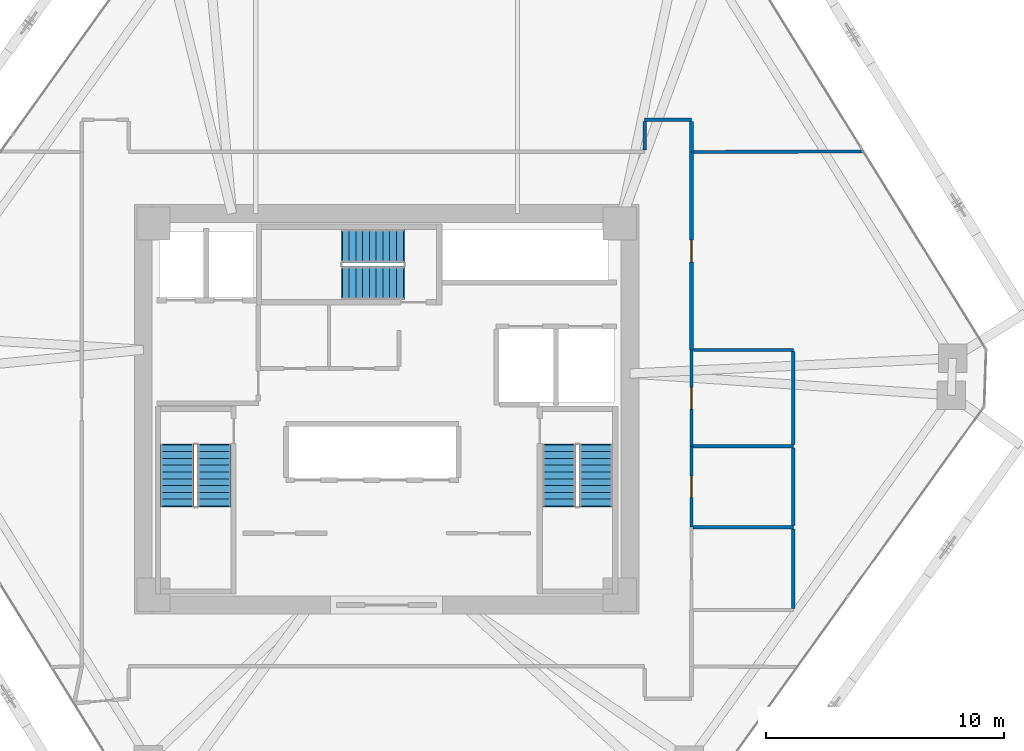
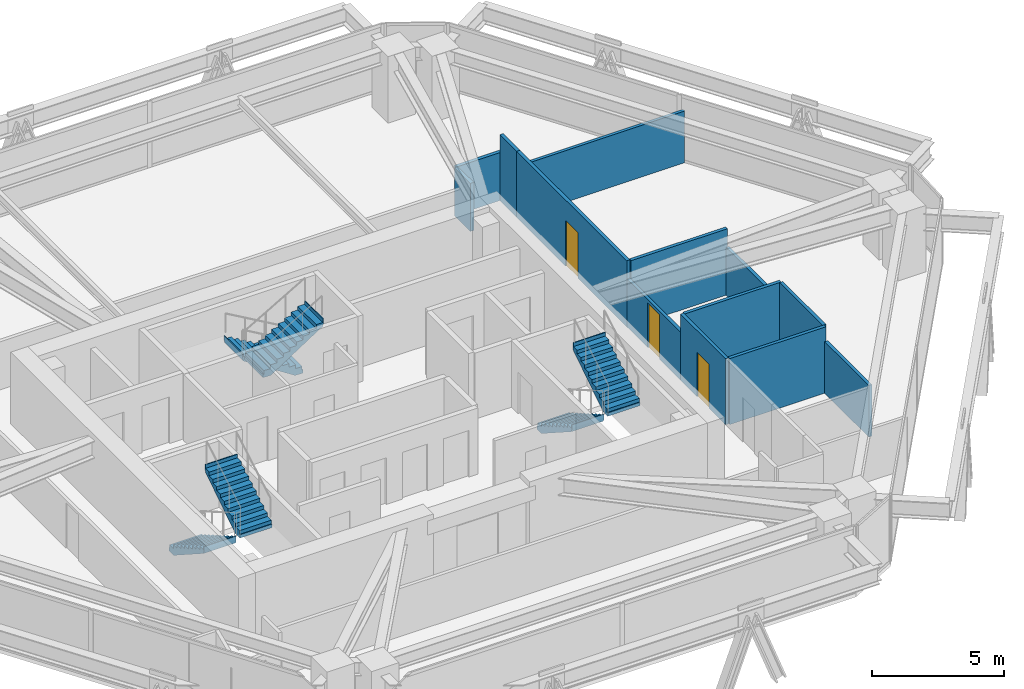
# One storey, part 14 of 15: 13 walls, 6 stair flights, 3 doors, 3 openings, 3 elements without a shape of their own.
"""IFC4 building model written with IfcOpenShell, lengths in metres."""

from ifc_helpers import new_model, si_unit, direction, frame, frame_2d, origin, place, context, subcontext, project, spatial, polyline, rectangle, outline, extrude, source, transform, mapped, material, layer, layer_set, type_object, type_shapes, element, fill, aggregate, save


model = new_model("IFC4")

# Units and contexts
model_context = context("Model", 3, precision=1e-05, world=origin(), true_north=direction((0.0, 1.0)))
body_context = subcontext(model_context, "Body", "Model", "MODEL_VIEW")
ifc_project = project(units=[si_unit("LENGTHUNIT", "METRE"), si_unit("AREAUNIT", "SQUARE_METRE"), si_unit("VOLUMEUNIT", "CUBIC_METRE"), si_unit("PLANEANGLEUNIT", "RADIAN"), si_unit("MASSUNIT", "GRAM", prefix="KILO")], contexts=[model_context])

# Site, building, storey
site_placement = place(None, origin())
site = spatial("IfcSite", under=ifc_project, at=site_placement, CompositionType="ELEMENT")
building_placement = place(site_placement, origin())
building = spatial("IfcBuilding", under=site, at=building_placement, Name="Durnholm Broadcast Tower", CompositionType="ELEMENT")
storey_placement = place(building_placement, frame((0.0, 0.0, 104.10009765625)))
storey = spatial("IfcBuildingStorey", under=building, at=storey_placement, Name="L27", CompositionType="ELEMENT", Elevation=104.10009765625)

# Walls
ifc_material_1 = material(Name="Gypsum Metal Stud Partition", Category="concrete")
ifc_layer_1 = layer(ifc_material_1, 0.135009765625)
ifc_layer_set_1 = layer_set([ifc_layer_1], Name="Gypsum Metal Stud Partition")
wall_type_1 = type_object("IfcWallType", Name="WALL-PART-135", PredefinedType="PARTITIONING", material=ifc_layer_set_1)
wall_1_placement = place(storey_placement, frame((20.03515625, 10.8310546875, 0.0), z_axis=(0.0, 0.0, 1.0), x_axis=(-0.999995783715, -0.002903885812, 0.0)))
element("IfcWall", 1, at=wall_1_placement, inside=storey, type_object=wall_type_1, Name="L27 room dividing partition 8.11", PredefinedType="PARTITIONING", context=body_context, shape_type="SweptSolid", body=[
    extrude(rectangle(XDim=7.146240234375, YDim=0.135009765625, at=frame_2d((3.5732421875, 0.0))), origin(), (0.0, 0.0, 1.0), 2.3798828125),
])
ifc_material_2 = material(Name="Acoustic Gypsum Stud Partition", Category="concrete")
ifc_layer_2 = layer(ifc_material_2, 0.14990234375)
ifc_layer_set_2 = layer_set([ifc_layer_2], Name="Acoustic Gypsum Stud Partition")
wall_type_2 = type_object("IfcWallType", Name="WALL-PART-150", PredefinedType="PARTITIONING", material=ifc_layer_set_2)
wall_2_placement = place(storey_placement, frame((12.81005859375, 12.159912109375, 0.0), z_axis=(0.0, 0.0, 1.0), x_axis=(-1.0, 0.0, 0.0)))
element("IfcWall", 2, at=wall_2_placement, inside=storey, type_object=wall_type_2, Name="L27 Network Operations Hall corridor partition", PredefinedType="PARTITIONING", context=body_context, shape_type="SweptSolid", body=[
    extrude(rectangle(XDim=1.969970703125, YDim=0.14990234375, at=frame_2d((0.98486328125, 0.0))), origin(), (0.0, 0.0, 1.0), 2.2119140625),
])
wall_3_placement = place(storey_placement, frame((12.81005859375, 10.81005859375, 0.0), z_axis=(0.0, 0.0, 1.0), x_axis=(0.0, 1.0, 0.0)))
element("IfcWall", 3, at=wall_3_placement, inside=storey, type_object=wall_type_2, Name="L27 Network Operations Hall corridor partition", PredefinedType="PARTITIONING", context=body_context, shape_type="SweptSolid", body=[
    extrude(rectangle(XDim=1.27099609375, YDim=0.14990234375, at=frame_2d((0.635498046875, 0.0))), origin(), (0.0, 0.0, 1.0), 3.044921875),
])
wall_4_placement = place(storey_placement, frame((10.840087890625, 12.0810546875, 0.0), z_axis=(0.0, 0.0, 1.0), x_axis=(0.0, -1.0, 0.0)))
element("IfcWall", 4, at=wall_4_placement, inside=storey, type_object=wall_type_2, Name="L27 Network Operations Hall corridor partition", PredefinedType="PARTITIONING", context=body_context, shape_type="SweptSolid", body=[
    extrude(rectangle(XDim=1.192138671875, YDim=0.14990234375, at=frame_2d((0.59619140625, 0.0))), origin(), (0.0, 0.0, 1.0), 2.2119140625),
])

# Wall, opening, door
wall_5_placement = place(storey_placement, frame((12.81005859375, 2.489990234375, 0.0), z_axis=(0.0, 0.0, 1.0), x_axis=(0.0, 1.0, 0.0)))
wall_5 = element("IfcWall", 5, at=wall_5_placement, inside=storey, type_object=wall_type_2, Name="L27 Systems Lounge corridor partition", PredefinedType="PARTITIONING", context=body_context, shape_type="SweptSolid", body=[
    extrude(rectangle(XDim=8.320068359375, YDim=0.14990234375, at=frame_2d((4.16015625, 0.0))), origin(), (0.0, 0.0, 1.0), 3.044921875),
])
opening_1_placement = place(wall_5_placement, frame((3.699951171875, 0.0, 0.0)))
opening_1 = element("IfcOpeningElement", 6, at=opening_1_placement, cuts=wall_5, Name="Opening DR-92L", PredefinedType="OPENING", context=body_context, shape_type="SweptSolid", body=[
    extrude(rectangle(XDim=0.919921875, YDim=2.10009765625, at=frame_2d((0.4599609375, 1.050048828125))), frame((0.0, 0.0849609375, 0.0), z_axis=(0.0, -1.0, 0.0), x_axis=(1.0, 0.0, 0.0)), (0.0, 0.0, 1.0), 0.169921875),
])
ifc_material_3 = material(Name="Oak Veneer Office Door", Category="wood")
ifc_layer_3 = layer(ifc_material_3, 0.050048828125)
ifc_layer_set_3 = layer_set([ifc_layer_3], Name="Oak Veneer Office Door")
door_type_1 = type_object("IfcDoorType", Name="DOOR-RM-920L", OperationType="NOTDEFINED", PredefinedType="DOOR", material=ifc_layer_set_3)
shared_shape_1 = source(origin(), body_context, "Body", "SweptSolid", [
    extrude(rectangle(XDim=0.919921875, YDim=2.10009765625, at=frame_2d((0.4599609375, 1.050048828125))), frame((0.0, 0.02490234375, 0.0), z_axis=(0.0, -1.0, 0.0), x_axis=(1.0, 0.0, 0.0)), (0.0, 0.0, 1.0), 0.050048828125),
])
type_shapes(door_type_1, [shared_shape_1])
door_1_placement = place(opening_1_placement, origin())
door_1 = element("IfcDoor", 7, at=door_1_placement, inside=storey, type_object=door_type_1, Name="L27 Systems Lounge entrance door", OperationType="SINGLE_SWING_LEFT", OverallHeight=2.10009765625, OverallWidth=0.919921875, PredefinedType="DOOR", context=body_context, shape_type="MappedRepresentation", body=[
    mapped(shared_shape_1, transform((0.0, 0.0, 0.0), x_axis=(1.0, 0.0, 0.0), y_axis=(0.0, 1.0, 0.0), z_axis=(0.0, 0.0, 1.0), scale=1.0)),
])
fill(opening_1, door_1)

ifc_material_4 = material(Name="Moisture-Resistant Tile Partition", Category="concrete")
ifc_layer_4 = layer(ifc_material_4, 0.139892578125)
ifc_layer_set_4 = layer_set([ifc_layer_4], Name="Moisture-Resistant Tile Partition")
wall_type_3 = type_object("IfcWallType", Name="WALL-WC-140", PredefinedType="PARTITIONING", material=ifc_layer_set_4)
wall_6_placement = place(storey_placement, frame((12.81005859375, -4.9599609375, 0.0), z_axis=(0.0, 0.0, 1.0), x_axis=(0.0, 1.0, 0.0)))
wall_6 = element("IfcWall", 8, at=wall_6_placement, inside=storey, type_object=wall_type_3, Name="L27 Women's Restroom corridor partition", PredefinedType="PARTITIONING", context=body_context, shape_type="SweptSolid", body=[
    extrude(rectangle(XDim=3.39990234375, YDim=0.139892578125, at=frame_2d((1.699951171875, 0.0))), origin(), (0.0, 0.0, 1.0), 3.044921875),
])
opening_2_placement = place(wall_6_placement, frame((1.25, 0.0, 0.0)))
opening_2 = element("IfcOpeningElement", 9, at=opening_2_placement, cuts=wall_6, Name="Opening DW-90R", PredefinedType="OPENING", context=body_context, shape_type="SweptSolid", body=[
    extrude(rectangle(XDim=0.89990234375, YDim=2.050048828125, at=frame_2d((0.449951171875, 1.02490234375))), frame((0.0, 0.080078125, 0.0), z_axis=(0.0, -1.0, 0.0), x_axis=(1.0, 0.0, 0.0)), (0.0, 0.0, 1.0), 0.159912109375),
])
ifc_material_5 = material(Name="Laminate Restroom Door", Category="steel")
ifc_layer_5 = layer(ifc_material_5, 0.050048828125)
ifc_layer_set_5 = layer_set([ifc_layer_5], Name="Laminate Restroom Door")
door_type_2 = type_object("IfcDoorType", Name="DOOR-WC-900R", OperationType="NOTDEFINED", PredefinedType="DOOR", material=ifc_layer_set_5)
shared_shape_2 = source(origin(), body_context, "Body", "SweptSolid", [
    extrude(rectangle(XDim=0.89990234375, YDim=2.050048828125, at=frame_2d((0.449951171875, 1.02490234375))), frame((0.0, 0.02490234375, 0.0), z_axis=(0.0, -1.0, 0.0), x_axis=(1.0, 0.0, 0.0)), (0.0, 0.0, 1.0), 0.050048828125),
])
type_shapes(door_type_2, [shared_shape_2])
door_2_placement = place(opening_2_placement, origin())
door_2 = element("IfcDoor", 10, at=door_2_placement, inside=storey, type_object=door_type_2, Name="L27 Women's Restroom entrance door", OperationType="SINGLE_SWING_RIGHT", OverallHeight=2.050048828125, OverallWidth=0.89990234375, PredefinedType="DOOR", context=body_context, shape_type="MappedRepresentation", body=[
    mapped(shared_shape_2, transform((0.0, 0.0, 0.0), x_axis=(1.0, 0.0, 0.0), y_axis=(0.0, 1.0, 0.0), z_axis=(0.0, 0.0, 1.0), scale=1.0)),
])
fill(opening_2, door_2)

wall_7_placement = place(storey_placement, frame((12.81005859375, -1.56005859375, 0.0), z_axis=(0.0, 0.0, 1.0), x_axis=(0.0, 1.0, 0.0)))
wall_7 = element("IfcWall", 11, at=wall_7_placement, inside=storey, type_object=wall_type_3, Name="L27 Accessible Restroom corridor partition", PredefinedType="PARTITIONING", context=body_context, shape_type="SweptSolid", body=[
    extrude(rectangle(XDim=4.050048828125, YDim=0.139892578125, at=frame_2d((2.02490234375, 0.0))), origin(), (0.0, 0.0, 1.0), 2.2119140625),
])
opening_3_placement = place(wall_7_placement, frame((1.574951171875, 0.0, 0.0)))
opening_3 = element("IfcOpeningElement", 12, at=opening_3_placement, cuts=wall_7, Name="Opening DW-90L", PredefinedType="OPENING", context=body_context, shape_type="SweptSolid", body=[
    extrude(rectangle(XDim=0.89990234375, YDim=2.050048828125, at=frame_2d((0.449951171875, 1.02490234375))), frame((0.0, 0.080078125, 0.0), z_axis=(0.0, -1.0, 0.0), x_axis=(1.0, 0.0, 0.0)), (0.0, 0.0, 1.0), 0.159912109375),
])
ifc_layer_6 = layer(ifc_material_5, 0.050048828125)
ifc_layer_set_6 = layer_set([ifc_layer_6], Name="Laminate Restroom Door")
door_type_3 = type_object("IfcDoorType", Name="DOOR-WC-900L", OperationType="NOTDEFINED", PredefinedType="DOOR", material=ifc_layer_set_6)
shared_shape_3 = source(origin(), body_context, "Body", "SweptSolid", [
    extrude(rectangle(XDim=0.89990234375, YDim=2.050048828125, at=frame_2d((0.449951171875, 1.02490234375))), frame((0.0, 0.02490234375, 0.0), z_axis=(0.0, -1.0, 0.0), x_axis=(1.0, 0.0, 0.0)), (0.0, 0.0, 1.0), 0.050048828125),
])
type_shapes(door_type_3, [shared_shape_3])
door_3_placement = place(opening_3_placement, origin())
door_3 = element("IfcDoor", 13, at=door_3_placement, inside=storey, type_object=door_type_3, Name="L27 Accessible Restroom entrance door", OperationType="SINGLE_SWING_LEFT", OverallHeight=2.050048828125, OverallWidth=0.89990234375, PredefinedType="DOOR", context=body_context, shape_type="MappedRepresentation", body=[
    mapped(shared_shape_3, transform((0.0, 0.0, 0.0), x_axis=(1.0, 0.0, 0.0), y_axis=(0.0, 1.0, 0.0), z_axis=(0.0, 0.0, 1.0), scale=1.0)),
])
fill(opening_3, door_3)

# Walls
wall_8_placement = place(storey_placement, frame((12.884033203125, -4.9599609375, 0.0), z_axis=(0.0, 0.0, 1.0), x_axis=(1.0, 0.0, 0.0)))
element("IfcWall", 14, at=wall_8_placement, inside=storey, type_object=wall_type_3, Name="L27 room dividing partition 5.6", PredefinedType="PARTITIONING", context=body_context, shape_type="SweptSolid", body=[
    extrude(rectangle(XDim=4.2060546875, YDim=0.139892578125, at=frame_2d((2.10302734375, 0.0))), origin(), (0.0, 0.0, 1.0), 3.044921875),
])
wall_9_placement = place(storey_placement, frame((17.090087890625, -5.033935546875, 0.0), z_axis=(0.0, 0.0, 1.0), x_axis=(0.0, -1.0, 0.0)))
element("IfcWall", 15, at=wall_9_placement, inside=storey, type_object=wall_type_3, Name="L27 room dividing partition 5.11", PredefinedType="PARTITIONING", context=body_context, shape_type="SweptSolid", body=[
    extrude(rectangle(XDim=3.33203125, YDim=0.139892578125, at=frame_2d((1.666015625, 0.0))), origin(), (0.0, 0.0, 1.0), 2.3798828125),
])
wall_10_placement = place(storey_placement, frame((12.884033203125, -1.56005859375, 0.0), z_axis=(0.0, 0.0, 1.0), x_axis=(1.0, 0.0, 0.0)))
element("IfcWall", 16, at=wall_10_placement, inside=storey, type_object=wall_type_3, Name="L27 room dividing partition 6.7", PredefinedType="PARTITIONING", context=body_context, shape_type="SweptSolid", body=[
    extrude(rectangle(XDim=4.2060546875, YDim=0.139892578125, at=frame_2d((2.10302734375, 0.0))), origin(), (0.0, 0.0, 1.0), 3.044921875),
])
wall_11_placement = place(storey_placement, frame((17.090087890625, -1.634033203125, 0.0), z_axis=(0.0, 0.0, 1.0), x_axis=(0.0, -1.0, 0.0)))
element("IfcWall", 17, at=wall_11_placement, inside=storey, type_object=wall_type_3, Name="L27 room dividing partition 6.11", PredefinedType="PARTITIONING", context=body_context, shape_type="SweptSolid", body=[
    extrude(rectangle(XDim=3.251953125, YDim=0.139892578125, at=frame_2d((1.6259765625, 0.0))), origin(), (0.0, 0.0, 1.0), 3.044921875),
])
wall_12_placement = place(storey_placement, frame((12.888916015625, 2.489990234375, 0.0), z_axis=(0.0, 0.0, 1.0), x_axis=(1.0, 0.0, 0.0)))
element("IfcWall", 18, at=wall_12_placement, inside=storey, type_object=wall_type_3, Name="L27 room dividing partition 7.11", PredefinedType="PARTITIONING", context=body_context, shape_type="SweptSolid", body=[
    extrude(rectangle(XDim=4.201171875, YDim=0.139892578125, at=frame_2d((2.1005859375, 0.0))), origin(), (0.0, 0.0, 1.0), 3.044921875),
])
wall_13_placement = place(storey_placement, frame((17.090087890625, 2.416015625, 0.0), z_axis=(0.0, 0.0, 1.0), x_axis=(0.0, -1.0, 0.0)))
element("IfcWall", 19, at=wall_13_placement, inside=storey, type_object=wall_type_3, Name="L27 room dividing partition 7.11", PredefinedType="PARTITIONING", context=body_context, shape_type="SweptSolid", body=[
    extrude(rectangle(XDim=3.902099609375, YDim=0.139892578125, at=frame_2d((1.951171875, 0.0))), origin(), (0.0, 0.0, 1.0), 2.2119140625),
])

# Stair, stair flights
ifc_material_6 = material(Name="Concrete C50/60", Category="concrete")
stair_type = type_object("IfcStairType", Name="STAIR-DL-20R1650", PredefinedType="HALF_TURN_STAIR", material=ifc_material_6)
stair_1_placement = place(storey_placement, origin())
stair_1 = element("IfcStair", 20, at=stair_1_placement, inside=storey, type_object=stair_type, Name="L27 ST-1", PredefinedType="HALF_TURN_STAIR")
stair_flight_type = type_object("IfcStairFlightType", Name="FLIGHT-DL-20R1650", PredefinedType="STRAIGHT", material=ifc_material_6)
stair_flight_1_placement = place(storey_placement, frame((-8.800048828125, -1.5, 0.0), z_axis=(0.0, 0.0, 1.0), x_axis=(0.0, -1.0, 0.0)))
stair_flight_1 = element("IfcStairFlight", 21, at=stair_flight_1_placement, type_object=stair_flight_type, Name="ST-1 flight 1", NumberOfRisers=10, NumberOfTreads=9, PredefinedType="STRAIGHT", RiserHeight=0.165, TreadLength=0.285, context=body_context, shape_type="SweptSolid", body=[
    extrude(outline(polyline([(-0.0400390625, -0.14990234375), (-0.0400390625, 0.0), (0.0, 0.0), (0.0, 0.1650390625), (0.284912109375, 0.1650390625), (0.284912109375, 0.330078125), (0.570068359375, 0.330078125), (0.570068359375, 0.4951171875), (0.85498046875, 0.4951171875), (0.85498046875, 0.659912109375), (1.139892578125, 0.659912109375), (1.139892578125, 0.824951171875), (1.425048828125, 0.824951171875), (1.425048828125, 0.989990234375), (1.7099609375, 0.989990234375), (1.7099609375, 1.155029296875), (1.9951171875, 1.155029296875), (1.9951171875, 1.320068359375), (2.280029296875, 1.320068359375), (2.280029296875, 1.485107421875), (2.56494140625, 1.485107421875), (2.56494140625, 1.64990234375), (2.60498046875, 1.64990234375), (2.60498046875, 1.5), (2.56494140625, 1.311767578125), (0.299072265625, -0.14990234375), (-0.0400390625, -0.14990234375)])), frame((0.0, 0.699951171875, 0.0), z_axis=(0.0, -1.0, 0.0), x_axis=(1.0, 0.0, 0.0)), (0.0, 0.0, 1.0), 1.39990234375),
])
stair_flight_2_placement = place(storey_placement, frame((-7.239990234375, -4.06494140625, 1.64990234375), z_axis=(0.0, 0.0, 1.0), x_axis=(0.0, 1.0, 0.0)))
stair_flight_2 = element("IfcStairFlight", 22, at=stair_flight_2_placement, type_object=stair_flight_type, Name="ST-1 flight 2", NumberOfRisers=10, NumberOfTreads=9, PredefinedType="STRAIGHT", RiserHeight=0.165, TreadLength=0.285, context=body_context, shape_type="SweptSolid", body=[
    extrude(outline(polyline([(-0.0400390625, -0.14990234375), (-0.0400390625, 0.0), (0.0, 0.0), (0.0, 0.1650390625), (0.284912109375, 0.1650390625), (0.284912109375, 0.330078125), (0.570068359375, 0.330078125), (0.570068359375, 0.4951171875), (0.85498046875, 0.4951171875), (0.85498046875, 0.659912109375), (1.139892578125, 0.659912109375), (1.139892578125, 0.824951171875), (1.425048828125, 0.824951171875), (1.425048828125, 0.989990234375), (1.7099609375, 0.989990234375), (1.7099609375, 1.155029296875), (1.9951171875, 1.155029296875), (1.9951171875, 1.320068359375), (2.280029296875, 1.320068359375), (2.280029296875, 1.485107421875), (2.56494140625, 1.485107421875), (2.56494140625, 1.64990234375), (2.60498046875, 1.64990234375), (2.60498046875, 1.5), (2.56494140625, 1.311767578125), (0.299072265625, -0.14990234375), (-0.0400390625, -0.14990234375)])), frame((0.0, 0.699951171875, 0.0), z_axis=(0.0, -1.0, 0.0), x_axis=(1.0, 0.0, 0.0)), (0.0, 0.0, 1.0), 1.39990234375),
])
aggregate(stair_1, [stair_flight_1, stair_flight_2])

stair_2_placement = place(storey_placement, origin())
stair_2 = element("IfcStair", 23, at=stair_2_placement, inside=storey, type_object=stair_type, Name="L27 ST-2", PredefinedType="HALF_TURN_STAIR")
stair_flight_3_placement = place(storey_placement, frame((7.239990234375, -1.5, 0.0), z_axis=(0.0, 0.0, 1.0), x_axis=(0.0, -1.0, 0.0)))
stair_flight_3 = element("IfcStairFlight", 24, at=stair_flight_3_placement, type_object=stair_flight_type, Name="ST-2 flight 1", NumberOfRisers=10, NumberOfTreads=9, PredefinedType="STRAIGHT", RiserHeight=0.165, TreadLength=0.285, context=body_context, shape_type="SweptSolid", body=[
    extrude(outline(polyline([(-0.0400390625, -0.14990234375), (-0.0400390625, 0.0), (0.0, 0.0), (0.0, 0.1650390625), (0.284912109375, 0.1650390625), (0.284912109375, 0.330078125), (0.570068359375, 0.330078125), (0.570068359375, 0.4951171875), (0.85498046875, 0.4951171875), (0.85498046875, 0.659912109375), (1.139892578125, 0.659912109375), (1.139892578125, 0.824951171875), (1.425048828125, 0.824951171875), (1.425048828125, 0.989990234375), (1.7099609375, 0.989990234375), (1.7099609375, 1.155029296875), (1.9951171875, 1.155029296875), (1.9951171875, 1.320068359375), (2.280029296875, 1.320068359375), (2.280029296875, 1.485107421875), (2.56494140625, 1.485107421875), (2.56494140625, 1.64990234375), (2.60498046875, 1.64990234375), (2.60498046875, 1.5), (2.56494140625, 1.311767578125), (0.299072265625, -0.14990234375), (-0.0400390625, -0.14990234375)])), frame((0.0, 0.699951171875, 0.0), z_axis=(0.0, -1.0, 0.0), x_axis=(1.0, 0.0, 0.0)), (0.0, 0.0, 1.0), 1.39990234375),
])
stair_flight_4_placement = place(storey_placement, frame((8.800048828125, -4.06494140625, 1.64990234375), z_axis=(0.0, 0.0, 1.0), x_axis=(0.0, 1.0, 0.0)))
stair_flight_4 = element("IfcStairFlight", 25, at=stair_flight_4_placement, type_object=stair_flight_type, Name="ST-2 flight 2", NumberOfRisers=10, NumberOfTreads=9, PredefinedType="STRAIGHT", RiserHeight=0.165, TreadLength=0.285, context=body_context, shape_type="SweptSolid", body=[
    extrude(outline(polyline([(-0.0400390625, -0.14990234375), (-0.0400390625, 0.0), (0.0, 0.0), (0.0, 0.1650390625), (0.284912109375, 0.1650390625), (0.284912109375, 0.330078125), (0.570068359375, 0.330078125), (0.570068359375, 0.4951171875), (0.85498046875, 0.4951171875), (0.85498046875, 0.659912109375), (1.139892578125, 0.659912109375), (1.139892578125, 0.824951171875), (1.425048828125, 0.824951171875), (1.425048828125, 0.989990234375), (1.7099609375, 0.989990234375), (1.7099609375, 1.155029296875), (1.9951171875, 1.155029296875), (1.9951171875, 1.320068359375), (2.280029296875, 1.320068359375), (2.280029296875, 1.485107421875), (2.56494140625, 1.485107421875), (2.56494140625, 1.64990234375), (2.60498046875, 1.64990234375), (2.60498046875, 1.5), (2.56494140625, 1.311767578125), (0.299072265625, -0.14990234375), (-0.0400390625, -0.14990234375)])), frame((0.0, 0.699951171875, 0.0), z_axis=(0.0, -1.0, 0.0), x_axis=(1.0, 0.0, 0.0)), (0.0, 0.0, 1.0), 1.39990234375),
])
aggregate(stair_2, [stair_flight_3, stair_flight_4])

stair_3_placement = place(storey_placement, origin())
stair_3 = element("IfcStair", 26, at=stair_3_placement, inside=storey, type_object=stair_type, Name="L27 ST-3", PredefinedType="HALF_TURN_STAIR")
stair_flight_5_placement = place(storey_placement, frame((0.699951171875, 6.860107421875, 0.0), z_axis=(0.0, 0.0, 1.0), x_axis=(-1.0, 0.0, 0.0)))
stair_flight_5 = element("IfcStairFlight", 27, at=stair_flight_5_placement, type_object=stair_flight_type, Name="ST-3 flight 1", NumberOfRisers=10, NumberOfTreads=9, PredefinedType="STRAIGHT", RiserHeight=0.165, TreadLength=0.285, context=body_context, shape_type="SweptSolid", body=[
    extrude(outline(polyline([(-0.0400390625, -0.14990234375), (-0.0400390625, 0.0), (0.0, 0.0), (0.0, 0.1650390625), (0.284912109375, 0.1650390625), (0.284912109375, 0.330078125), (0.570068359375, 0.330078125), (0.570068359375, 0.4951171875), (0.85498046875, 0.4951171875), (0.85498046875, 0.659912109375), (1.139892578125, 0.659912109375), (1.139892578125, 0.824951171875), (1.425048828125, 0.824951171875), (1.425048828125, 0.989990234375), (1.7099609375, 0.989990234375), (1.7099609375, 1.155029296875), (1.9951171875, 1.155029296875), (1.9951171875, 1.320068359375), (2.280029296875, 1.320068359375), (2.280029296875, 1.485107421875), (2.56494140625, 1.485107421875), (2.56494140625, 1.64990234375), (2.60498046875, 1.64990234375), (2.60498046875, 1.5), (2.56494140625, 1.311767578125), (0.299072265625, -0.14990234375), (-0.0400390625, -0.14990234375)])), frame((0.0, 0.699951171875, 0.0), z_axis=(0.0, -1.0, 0.0), x_axis=(1.0, 0.0, 0.0)), (0.0, 0.0, 1.0), 1.39990234375),
])
stair_flight_6_placement = place(storey_placement, frame((-1.864990234375, 5.300048828125, 1.64990234375), z_axis=(0.0, 0.0, 1.0), x_axis=(1.0, 0.0, 0.0)))
stair_flight_6 = element("IfcStairFlight", 28, at=stair_flight_6_placement, type_object=stair_flight_type, Name="ST-3 flight 2", NumberOfRisers=10, NumberOfTreads=9, PredefinedType="STRAIGHT", RiserHeight=0.165, TreadLength=0.285, context=body_context, shape_type="SweptSolid", body=[
    extrude(outline(polyline([(-0.0400390625, -0.14990234375), (-0.0400390625, 0.0), (0.0, 0.0), (0.0, 0.1650390625), (0.284912109375, 0.1650390625), (0.284912109375, 0.330078125), (0.570068359375, 0.330078125), (0.570068359375, 0.4951171875), (0.85498046875, 0.4951171875), (0.85498046875, 0.659912109375), (1.139892578125, 0.659912109375), (1.139892578125, 0.824951171875), (1.425048828125, 0.824951171875), (1.425048828125, 0.989990234375), (1.7099609375, 0.989990234375), (1.7099609375, 1.155029296875), (1.9951171875, 1.155029296875), (1.9951171875, 1.320068359375), (2.280029296875, 1.320068359375), (2.280029296875, 1.485107421875), (2.56494140625, 1.485107421875), (2.56494140625, 1.64990234375), (2.60498046875, 1.64990234375), (2.60498046875, 1.5), (2.56494140625, 1.311767578125), (0.299072265625, -0.14990234375), (-0.0400390625, -0.14990234375)])), frame((0.0, 0.699951171875, 0.0), z_axis=(0.0, -1.0, 0.0), x_axis=(1.0, 0.0, 0.0)), (0.0, 0.0, 1.0), 1.39990234375),
])
aggregate(stair_3, [stair_flight_5, stair_flight_6])

save(model, "model.ifc")
